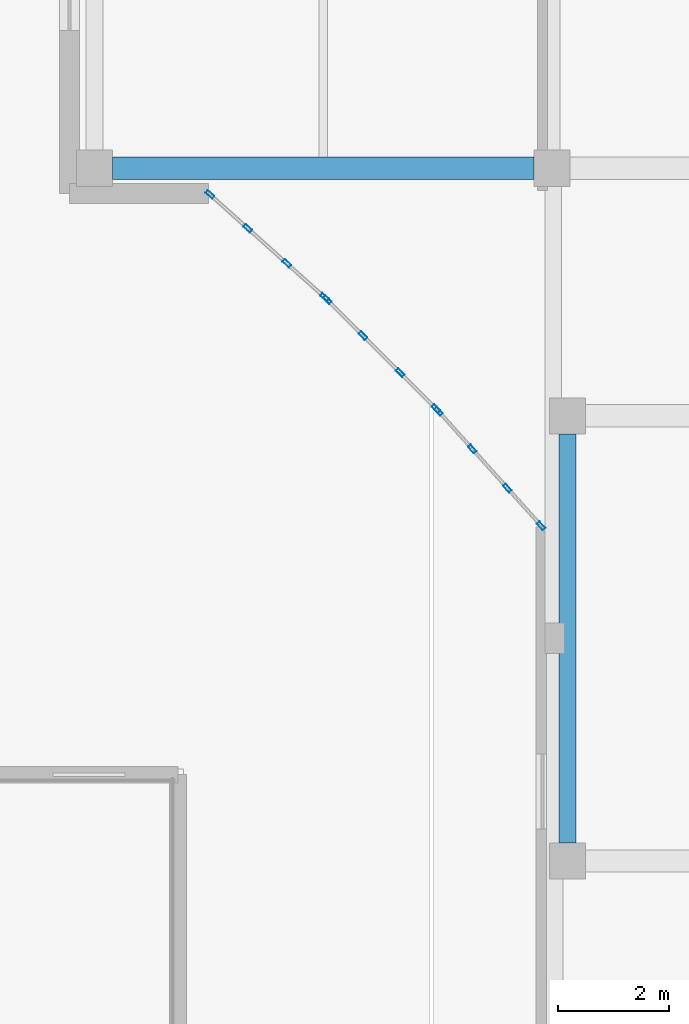
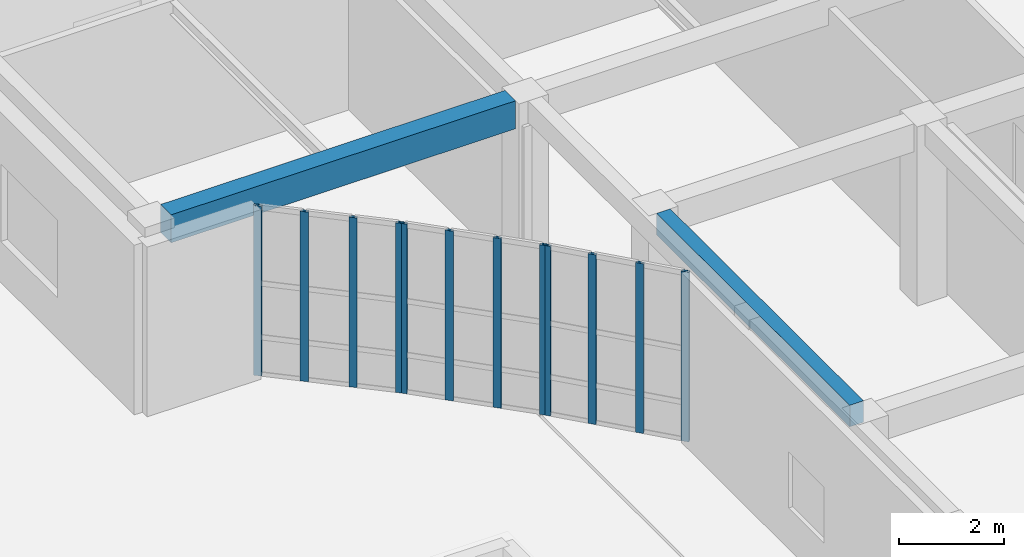
# One storey, part 30 of 114: 12 members, 2 beams, 3 elements without a shape of their own.
"""IFC4 building model written with IfcOpenShell, lengths in metres."""

from ifc_helpers import new_model, si_unit, direction, frame, origin, origin_2d, place, context, subcontext, project, spatial, rectangle, hollow_rectangle, extrude, material, layer, layer_set, material_profile, profile_set, type_object, element, aggregate, save


model = new_model("IFC4")

# Units and contexts
model_context = context("Model", 3, precision=1e-05, world=origin(), true_north=direction((0.0, 1.0)))
body_context = subcontext(model_context, "Body", "Model", "MODEL_VIEW")
ifc_project = project(units=[si_unit("LENGTHUNIT", "METRE"), si_unit("AREAUNIT", "SQUARE_METRE"), si_unit("VOLUMEUNIT", "CUBIC_METRE"), si_unit("PLANEANGLEUNIT", "RADIAN"), si_unit("MASSUNIT", "GRAM", prefix="KILO")], contexts=[model_context])

# Site, building, storey
site_placement = place(None, origin())
site = spatial("IfcSite", under=ifc_project, at=site_placement, CompositionType="ELEMENT")
building_placement = place(site_placement, origin())
building = spatial("IfcBuilding", under=site, at=building_placement, Name="Keldmere Railside Commons", CompositionType="ELEMENT")
storey_placement = place(building_placement, origin())
storey = spatial("IfcBuildingStorey", under=building, at=storey_placement, Name="L00", CompositionType="ELEMENT", Elevation=0.0)

# Beams
ifc_material_1 = material(Name="Concrete H-30 (C30/37)", Category="concrete")
ifc_material_profile_1 = material_profile(ifc_material_1, rectangle(XDim=0.39990234375, YDim=0.64990234375, at=origin_2d()), Name="RC-400x650")
ifc_profile_set_1 = profile_set([ifc_material_profile_1], Name="Concrete H-30 (C30/37)")
beam_type_1 = type_object("IfcBeamType", Name="Residential Spine RC Girder 400x650", PredefinedType="BEAM", material=ifc_profile_set_1)
beam_1_placement = place(storey_placement, frame((40.27490234375, 100.449951171875, 3.8349609375), z_axis=(1.0, 0.0, 0.0), x_axis=(0.0, 1.0, 0.0)))
element("IfcBeam", 1, at=beam_1_placement, inside=storey, type_object=beam_type_1, Name="BG-3 BM-L00-0500", PredefinedType="BEAM", context=body_context, shape_type="SweptSolid", body=[
    extrude(rectangle(XDim=0.39990234375, YDim=0.64990234375, at=origin_2d()), origin(), (0.0, 0.0, 1.0), 7.570068359375),
])
ifc_material_profile_2 = material_profile(ifc_material_1, rectangle(XDim=0.300048828125, YDim=0.5, at=origin_2d()), Name="RC-300x500")
ifc_profile_set_2 = profile_set([ifc_material_profile_2], Name="Concrete H-30 (C30/37)")
beam_type_2 = type_object("IfcBeamType", Name="Secondary Frame RC Beam 300x500", PredefinedType="BEAM", material=ifc_profile_set_2)
beam_2_placement = place(storey_placement, frame((48.449951171875, 88.324951171875, 3.909912109375), z_axis=(0.0, 1.0, 0.0), x_axis=(-1.0, 0.0, 0.0)))
element("IfcBeam", 2, at=beam_2_placement, inside=storey, type_object=beam_type_2, Name="BG-5 BM-L00-0589", PredefinedType="BEAM", context=body_context, shape_type="SweptSolid", body=[
    extrude(rectangle(XDim=0.300048828125, YDim=0.5, at=origin_2d()), origin(), (0.0, 0.0, 1.0), 7.35009765625),
])

# Curtain wall, members
ifc_material_2 = material(Name="Thermally Broken Aluminium", Category="aluminium")
ifc_layer_1 = layer(ifc_material_2, 0.159912109375, Name="Residential Ground Entrance Lobby CW 4000x3600")
ifc_layer_set_1 = layer_set([ifc_layer_1], Name="Thermally Broken Aluminium")
curtain_wall_type_1 = type_object("IfcCurtainWallType", Name="Residential Ground Entrance Lobby CW 4000x3600", PredefinedType="NOTDEFINED", material=ifc_layer_set_1)
curtain_wall_1_placement = place(storey_placement, origin())
curtain_wall_1 = element("IfcCurtainWall", 3, at=curtain_wall_1_placement, inside=storey, type_object=curtain_wall_type_1, Name="CW-10 CW-L00-028", PredefinedType="NOTDEFINED")
ifc_material_profile_3 = material_profile(ifc_material_2, hollow_rectangle(XDim=0.06494140625, YDim=0.159912109375, WallThickness=0.00390625, at=origin_2d()), Name="ALU-MULL-65x160")
ifc_profile_set_3 = profile_set([ifc_material_profile_3], Name="Thermally Broken Aluminium")
member_type = type_object("IfcMemberType", Name="Unitised Curtain Wall Mullion 65x160", PredefinedType="MULLION", material=ifc_profile_set_3)
member_1_placement = place(storey_placement, frame((44.083740234375, 98.131591796875, 0.0), z_axis=(0.0, 0.0, 1.0), x_axis=(-0.667558519879, -0.744557333277, 0.0)))
member_1 = element("IfcMember", 4, at=member_1_placement, type_object=member_type, Name="CW-10 mullion 1", PredefinedType="MULLION", context=body_context, shape_type="SweptSolid", body=[
    extrude(hollow_rectangle(XDim=0.06494140625, YDim=0.159912109375, WallThickness=0.00390625, at=origin_2d()), origin(), (0.0, 0.0, 1.0), 3.93994140625),
])
member_2_placement = place(storey_placement, frame((43.4052734375, 98.739990234375, 0.0), z_axis=(0.0, 0.0, 1.0), x_axis=(-0.667558519879, -0.744557333277, 0.0)))
member_2 = element("IfcMember", 5, at=member_2_placement, type_object=member_type, Name="CW-10 mullion 2", PredefinedType="MULLION", context=body_context, shape_type="SweptSolid", body=[
    extrude(hollow_rectangle(XDim=0.06494140625, YDim=0.159912109375, WallThickness=0.00390625, at=origin_2d()), origin(), (0.0, 0.0, 1.0), 3.93994140625),
])
member_3_placement = place(storey_placement, frame((42.70263671875, 99.3701171875, 0.0), z_axis=(0.0, 0.0, 1.0), x_axis=(-0.667558519879, -0.744557333277, 0.0)))
member_3 = element("IfcMember", 6, at=member_3_placement, type_object=member_type, Name="CW-10 mullion 3", PredefinedType="MULLION", context=body_context, shape_type="SweptSolid", body=[
    extrude(hollow_rectangle(XDim=0.06494140625, YDim=0.159912109375, WallThickness=0.00390625, at=origin_2d()), origin(), (0.0, 0.0, 1.0), 3.93994140625),
])
member_4_placement = place(storey_placement, frame((42.024169921875, 99.978271484375, 0.0), z_axis=(0.0, 0.0, 1.0), x_axis=(-0.667558519879, -0.744557333277, 0.0)))
member_4 = element("IfcMember", 7, at=member_4_placement, type_object=member_type, Name="CW-10 mullion 4", PredefinedType="MULLION", context=body_context, shape_type="SweptSolid", body=[
    extrude(hollow_rectangle(XDim=0.06494140625, YDim=0.159912109375, WallThickness=0.00390625, at=origin_2d()), origin(), (0.0, 0.0, 1.0), 3.93994140625),
])
aggregate(curtain_wall_1, [member_1, member_2, member_3, member_4])

ifc_layer_2 = layer(ifc_material_2, 0.159912109375, Name="Residential Lounge Frontage CW 4600x3600")
ifc_layer_set_2 = layer_set([ifc_layer_2], Name="Thermally Broken Aluminium")
curtain_wall_type_2 = type_object("IfcCurtainWallType", Name="Residential Lounge Frontage CW 4600x3600", PredefinedType="NOTDEFINED", material=ifc_layer_set_2)
curtain_wall_2_placement = place(storey_placement, origin())
curtain_wall_2 = element("IfcCurtainWall", 8, at=curtain_wall_2_placement, inside=storey, type_object=curtain_wall_type_2, Name="CW-11 CW-L00-029", PredefinedType="NOTDEFINED")
member_5_placement = place(storey_placement, frame((46.0869140625, 96.130859375, 0.0), z_axis=(0.0, 0.0, 1.0), x_axis=(-0.707106781187, -0.707106781187, 0.0)))
member_5 = element("IfcMember", 9, at=member_5_placement, type_object=member_type, Name="CW-11 mullion 1", PredefinedType="MULLION", context=body_context, shape_type="SweptSolid", body=[
    extrude(hollow_rectangle(XDim=0.06494140625, YDim=0.159912109375, WallThickness=0.00390625, at=origin_2d()), origin(), (0.0, 0.0, 1.0), 3.93994140625),
])
member_6_placement = place(storey_placement, frame((45.442626953125, 96.775390625, 0.0), z_axis=(0.0, 0.0, 1.0), x_axis=(-0.707106781187, -0.707106781187, 0.0)))
member_6 = element("IfcMember", 10, at=member_6_placement, type_object=member_type, Name="CW-11 mullion 2", PredefinedType="MULLION", context=body_context, shape_type="SweptSolid", body=[
    extrude(hollow_rectangle(XDim=0.06494140625, YDim=0.159912109375, WallThickness=0.00390625, at=origin_2d()), origin(), (0.0, 0.0, 1.0), 3.93994140625),
])
member_7_placement = place(storey_placement, frame((44.775390625, 97.442626953125, 0.0), z_axis=(0.0, 0.0, 1.0), x_axis=(-0.707106781187, -0.707106781187, 0.0)))
member_7 = element("IfcMember", 11, at=member_7_placement, type_object=member_type, Name="CW-11 mullion 3", PredefinedType="MULLION", context=body_context, shape_type="SweptSolid", body=[
    extrude(hollow_rectangle(XDim=0.06494140625, YDim=0.159912109375, WallThickness=0.00390625, at=origin_2d()), origin(), (0.0, 0.0, 1.0), 3.93994140625),
])
member_8_placement = place(storey_placement, frame((44.130859375, 98.0869140625, 0.0), z_axis=(0.0, 0.0, 1.0), x_axis=(-0.707106781187, -0.707106781187, 0.0)))
member_8 = element("IfcMember", 12, at=member_8_placement, type_object=member_type, Name="CW-11 mullion 4", PredefinedType="MULLION", context=body_context, shape_type="SweptSolid", body=[
    extrude(hollow_rectangle(XDim=0.06494140625, YDim=0.159912109375, WallThickness=0.00390625, at=origin_2d()), origin(), (0.0, 0.0, 1.0), 3.93994140625),
])
aggregate(curtain_wall_2, [member_5, member_6, member_7, member_8])

curtain_wall_3_placement = place(storey_placement, origin())
curtain_wall_3 = element("IfcCurtainWall", 13, at=curtain_wall_3_placement, inside=storey, type_object=curtain_wall_type_1, Name="CW-10 CW-L00-030", PredefinedType="NOTDEFINED")
member_9_placement = place(storey_placement, frame((47.978271484375, 94.024169921875, 0.0), z_axis=(0.0, 0.0, 1.0), x_axis=(-0.744557333277, -0.667558519879, 0.0)))
member_9 = element("IfcMember", 14, at=member_9_placement, type_object=member_type, Name="CW-10 mullion 1", PredefinedType="MULLION", context=body_context, shape_type="SweptSolid", body=[
    extrude(hollow_rectangle(XDim=0.06494140625, YDim=0.159912109375, WallThickness=0.00390625, at=origin_2d()), origin(), (0.0, 0.0, 1.0), 3.93994140625),
])
member_10_placement = place(storey_placement, frame((47.3701171875, 94.70263671875, 0.0), z_axis=(0.0, 0.0, 1.0), x_axis=(-0.744557333277, -0.667558519879, 0.0)))
member_10 = element("IfcMember", 15, at=member_10_placement, type_object=member_type, Name="CW-10 mullion 2", PredefinedType="MULLION", context=body_context, shape_type="SweptSolid", body=[
    extrude(hollow_rectangle(XDim=0.06494140625, YDim=0.159912109375, WallThickness=0.00390625, at=origin_2d()), origin(), (0.0, 0.0, 1.0), 3.93994140625),
])
member_11_placement = place(storey_placement, frame((46.739990234375, 95.4052734375, 0.0), z_axis=(0.0, 0.0, 1.0), x_axis=(-0.744557333277, -0.667558519879, 0.0)))
member_11 = element("IfcMember", 16, at=member_11_placement, type_object=member_type, Name="CW-10 mullion 3", PredefinedType="MULLION", context=body_context, shape_type="SweptSolid", body=[
    extrude(hollow_rectangle(XDim=0.06494140625, YDim=0.159912109375, WallThickness=0.00390625, at=origin_2d()), origin(), (0.0, 0.0, 1.0), 3.93994140625),
])
member_12_placement = place(storey_placement, frame((46.131591796875, 96.083740234375, 0.0), z_axis=(0.0, 0.0, 1.0), x_axis=(-0.744557333277, -0.667558519879, 0.0)))
member_12 = element("IfcMember", 17, at=member_12_placement, type_object=member_type, Name="CW-10 mullion 4", PredefinedType="MULLION", context=body_context, shape_type="SweptSolid", body=[
    extrude(hollow_rectangle(XDim=0.06494140625, YDim=0.159912109375, WallThickness=0.00390625, at=origin_2d()), origin(), (0.0, 0.0, 1.0), 3.93994140625),
])
aggregate(curtain_wall_3, [member_9, member_10, member_11, member_12])

save(model, "model.ifc")
